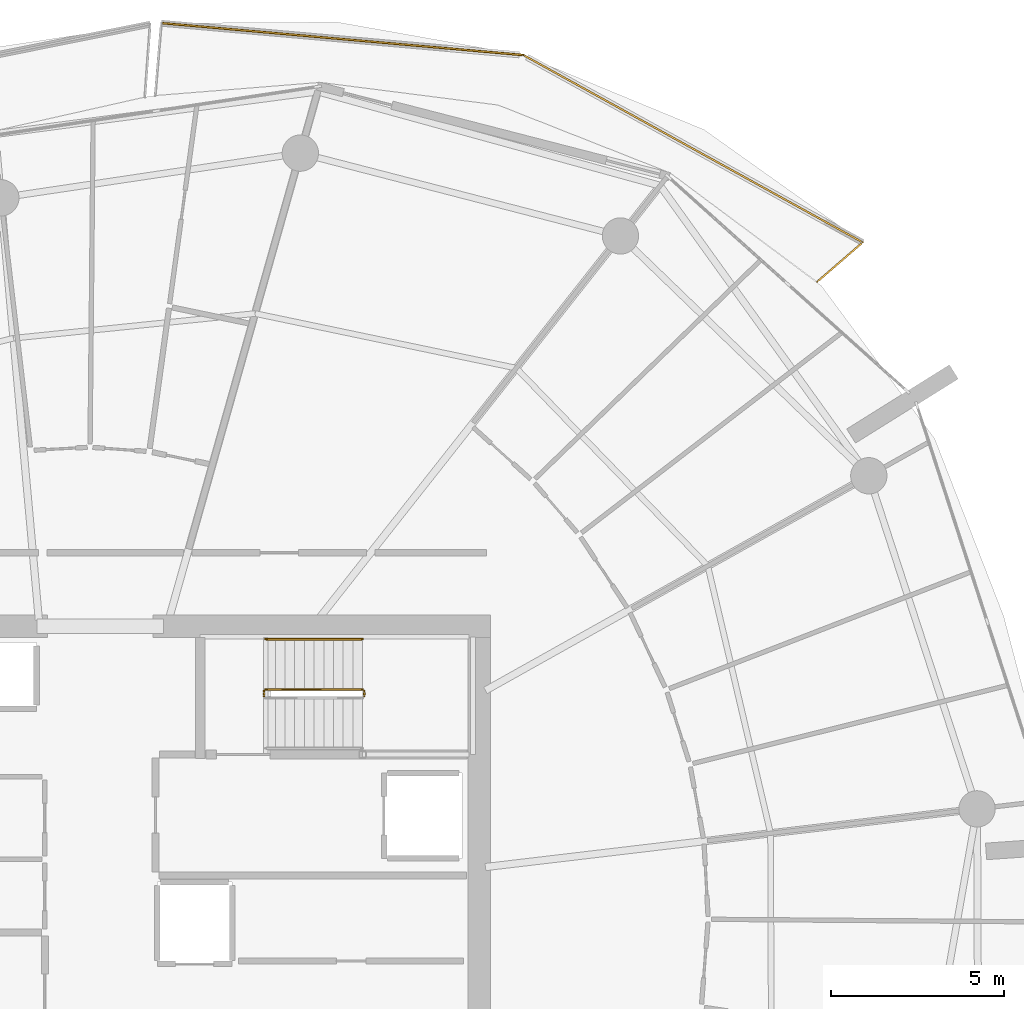
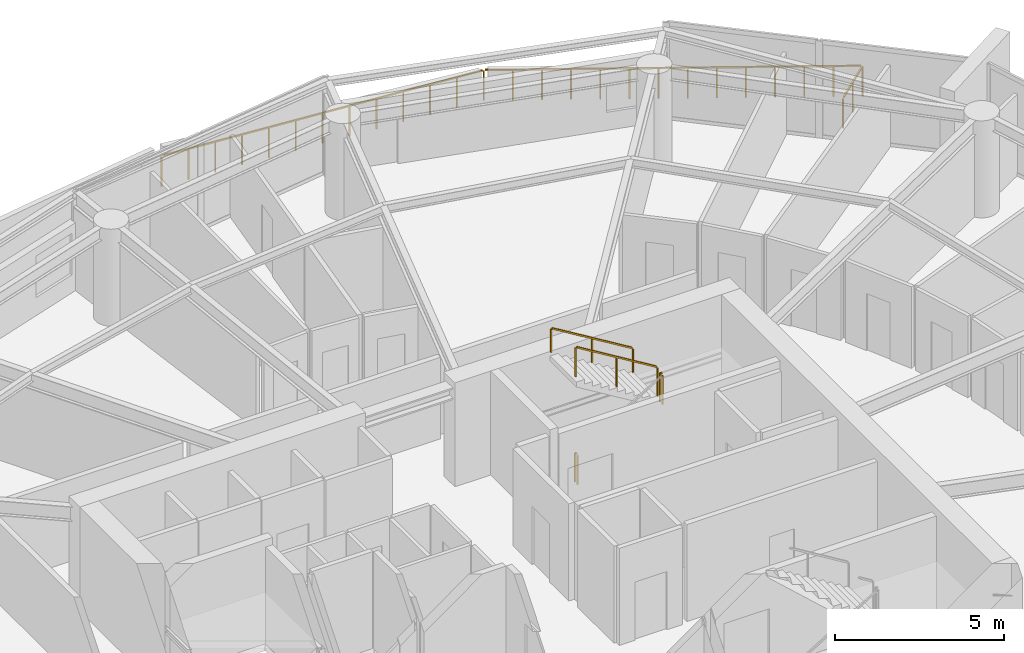
# One storey, part 21 of 21: 7 railings.
"""IFC4 building model written with IfcOpenShell, lengths in metres."""

from ifc_helpers import new_model, si_unit, direction, frame, origin, origin_2d, place, context, subcontext, project, spatial, rectangle, extrude, material, type_object, element, save


model = new_model("IFC4")

# Units and contexts
model_context = context("Model", 3, precision=1e-05, world=origin(), true_north=direction((0.0, 1.0)))
body_context = subcontext(model_context, "Body", "Model", "MODEL_VIEW")
ifc_project = project(units=[si_unit("LENGTHUNIT", "METRE"), si_unit("AREAUNIT", "SQUARE_METRE"), si_unit("VOLUMEUNIT", "CUBIC_METRE"), si_unit("PLANEANGLEUNIT", "RADIAN"), si_unit("MASSUNIT", "GRAM", prefix="KILO")], contexts=[model_context])

# Site, building, storey
site_placement = place(None, origin())
site = spatial("IfcSite", under=ifc_project, at=site_placement, CompositionType="ELEMENT")
building_placement = place(site_placement, origin())
building = spatial("IfcBuilding", under=site, at=building_placement, Name="Kazma Halo Residences", CompositionType="ELEMENT")
storey_placement = place(building_placement, frame((0.0, 0.0, 180.300048828125)))
storey = spatial("IfcBuildingStorey", under=building, at=storey_placement, Name="L45", CompositionType="ELEMENT", Elevation=180.300048828125)

# Railings
ifc_material_1 = material(Name="Aluminium AW-6063 T6 Brushed Cap Rail", Category="aluminium")
railing_type_1 = type_object("IfcRailingType", Name="RLG-BAL-CAP-1120", PredefinedType="BALUSTRADE", material=ifc_material_1)
railing_1_placement = place(storey_placement, frame((69.130126953125, 60.271240234375, 0.0)))
element("IfcRailing", 1, at=railing_1_placement, inside=storey, type_object=railing_type_1, Name="L45 NE wave balcony guard 1", PredefinedType="BALUSTRADE", context=body_context, shape_type="SweptSolid", body=[
    extrude(rectangle(XDim=0.050048828125, YDim=0.050048828125, at=origin_2d()), frame((0.0322265625, 0.02783203125, 1.09521484375), z_axis=(0.756404341656, 0.654104328011, 0.0), x_axis=(-0.654104328011, 0.756404341656, 0.0)), (0.0, 0.0, 1.0), 1.659423828125),
    extrude(rectangle(XDim=0.0400390625, YDim=0.0400390625, at=origin_2d()), origin(), (0.0, 0.0, 1.0), 1.05810546875),
    extrude(rectangle(XDim=0.0400390625, YDim=0.0400390625, at=origin_2d()), frame((0.65966796875, 0.570556640625, 0.0)), (0.0, 0.0, 1.0), 1.05810546875),
    extrude(rectangle(XDim=0.0400390625, YDim=0.0400390625, at=origin_2d()), frame((1.319580078125, 1.14111328125, 0.0)), (0.0, 0.0, 1.0), 1.05810546875),
])
railing_2_placement = place(storey_placement, frame((70.44970703125, 61.412353515625, 0.0)))
element("IfcRailing", 2, at=railing_2_placement, inside=storey, type_object=railing_type_1, Name="L45 NE wave balcony guard 2", PredefinedType="BALUSTRADE", context=body_context, shape_type="SweptSolid", body=[
    extrude(rectangle(XDim=0.050048828125, YDim=0.050048828125, at=origin_2d()), frame((-0.037353515625, 0.0205078125, 1.09521484375), z_axis=(-0.87545838849, 0.483293502979, 0.0), x_axis=(-0.483293502979, -0.87545838849, 0.0)), (0.0, 0.0, 1.0), 11.11083984375),
    extrude(rectangle(XDim=0.0400390625, YDim=0.0400390625, at=origin_2d()), origin(), (0.0, 0.0, 1.0), 1.05810546875),
    extrude(rectangle(XDim=0.0400390625, YDim=0.0400390625, at=origin_2d()), frame((-0.75390625, 0.416259765625, 0.0)), (0.0, 0.0, 1.0), 1.05810546875),
    extrude(rectangle(XDim=0.0400390625, YDim=0.0400390625, at=origin_2d()), frame((-1.5078125, 0.83251953125, 0.0)), (0.0, 0.0, 1.0), 1.05810546875),
    extrude(rectangle(XDim=0.0400390625, YDim=0.0400390625, at=origin_2d()), frame((-2.261962890625, 1.248779296875, 0.0)), (0.0, 0.0, 1.0), 1.05810546875),
    extrude(rectangle(XDim=0.0400390625, YDim=0.0400390625, at=origin_2d()), frame((-3.015869140625, 1.664794921875, 0.0)), (0.0, 0.0, 1.0), 1.05810546875),
    extrude(rectangle(XDim=0.0400390625, YDim=0.0400390625, at=origin_2d()), frame((-3.769775390625, 2.0810546875, 0.0)), (0.0, 0.0, 1.0), 1.05810546875),
    extrude(rectangle(XDim=0.0400390625, YDim=0.0400390625, at=origin_2d()), frame((-4.523681640625, 2.497314453125, 0.0)), (0.0, 0.0, 1.0), 1.05810546875),
    extrude(rectangle(XDim=0.0400390625, YDim=0.0400390625, at=origin_2d()), frame((-5.27783203125, 2.91357421875, 0.0)), (0.0, 0.0, 1.0), 1.05810546875),
    extrude(rectangle(XDim=0.0400390625, YDim=0.0400390625, at=origin_2d()), frame((-6.03173828125, 3.329833984375, 0.0)), (0.0, 0.0, 1.0), 1.05810546875),
    extrude(rectangle(XDim=0.0400390625, YDim=0.0400390625, at=origin_2d()), frame((-6.78564453125, 3.74609375, 0.0)), (0.0, 0.0, 1.0), 1.05810546875),
    extrude(rectangle(XDim=0.0400390625, YDim=0.0400390625, at=origin_2d()), frame((-7.53955078125, 4.162109375, 0.0)), (0.0, 0.0, 1.0), 1.05810546875),
    extrude(rectangle(XDim=0.0400390625, YDim=0.0400390625, at=origin_2d()), frame((-8.293701171875, 4.578369140625, 0.0)), (0.0, 0.0, 1.0), 1.05810546875),
    extrude(rectangle(XDim=0.0400390625, YDim=0.0400390625, at=origin_2d()), frame((-9.047607421875, 4.99462890625, 0.0)), (0.0, 0.0, 1.0), 1.05810546875),
    extrude(rectangle(XDim=0.0400390625, YDim=0.0400390625, at=origin_2d()), frame((-9.801513671875, 5.410888671875, 0.0)), (0.0, 0.0, 1.0), 1.05810546875),
])
railing_3_placement = place(storey_placement, frame((60.648193359375, 66.8232421875, 0.0)))
element("IfcRailing", 3, at=railing_3_placement, inside=storey, type_object=railing_type_1, Name="L45 NE wave balcony guard 3", PredefinedType="BALUSTRADE", context=body_context, shape_type="SweptSolid", body=[
    extrude(rectangle(XDim=0.050048828125, YDim=0.050048828125, at=origin_2d()), frame((-0.04248046875, 0.003662109375, 1.09521484375), z_axis=(-0.996116791463, 0.088041681974, 0.0), x_axis=(-0.088041681974, -0.996116791463, 0.0)), (0.0, 0.0, 1.0), 10.419189453125),
    extrude(rectangle(XDim=0.0400390625, YDim=0.0400390625, at=origin_2d()), origin(), (0.0, 0.0, 1.0), 1.05810546875),
    extrude(rectangle(XDim=0.0400390625, YDim=0.0400390625, at=origin_2d()), frame((-0.8720703125, 0.0771484375, 0.0)), (0.0, 0.0, 1.0), 1.05810546875),
    extrude(rectangle(XDim=0.0400390625, YDim=0.0400390625, at=origin_2d()), frame((-1.743896484375, 0.154052734375, 0.0)), (0.0, 0.0, 1.0), 1.05810546875),
    extrude(rectangle(XDim=0.0400390625, YDim=0.0400390625, at=origin_2d()), frame((-2.61572265625, 0.231201171875, 0.0)), (0.0, 0.0, 1.0), 1.05810546875),
    extrude(rectangle(XDim=0.0400390625, YDim=0.0400390625, at=origin_2d()), frame((-3.48779296875, 0.308349609375, 0.0)), (0.0, 0.0, 1.0), 1.05810546875),
    extrude(rectangle(XDim=0.0400390625, YDim=0.0400390625, at=origin_2d()), frame((-4.35986328125, 0.38525390625, 0.0)), (0.0, 0.0, 1.0), 1.05810546875),
    extrude(rectangle(XDim=0.0400390625, YDim=0.0400390625, at=origin_2d()), frame((-5.231689453125, 0.46240234375, 0.0)), (0.0, 0.0, 1.0), 1.05810546875),
    extrude(rectangle(XDim=0.0400390625, YDim=0.0400390625, at=origin_2d()), frame((-6.103515625, 0.53955078125, 0.0)), (0.0, 0.0, 1.0), 1.05810546875),
    extrude(rectangle(XDim=0.0400390625, YDim=0.0400390625, at=origin_2d()), frame((-6.9755859375, 0.616455078125, 0.0)), (0.0, 0.0, 1.0), 1.05810546875),
    extrude(rectangle(XDim=0.0400390625, YDim=0.0400390625, at=origin_2d()), frame((-7.84765625, 0.693603515625, 0.0)), (0.0, 0.0, 1.0), 1.05810546875),
    extrude(rectangle(XDim=0.0400390625, YDim=0.0400390625, at=origin_2d()), frame((-8.719482421875, 0.770751953125, 0.0)), (0.0, 0.0, 1.0), 1.05810546875),
    extrude(rectangle(XDim=0.0400390625, YDim=0.0400390625, at=origin_2d()), frame((-9.59130859375, 0.84765625, 0.0)), (0.0, 0.0, 1.0), 1.05810546875),
    extrude(rectangle(XDim=0.0400390625, YDim=0.0400390625, at=origin_2d()), frame((-10.46337890625, 0.9248046875, 0.0)), (0.0, 0.0, 1.0), 1.05810546875),
])
ifc_material_2 = material(Name="Painted Steel S355", Category="steel")
railing_type_2 = type_object("IfcRailingType", Name="RLG-STAIR-GRD-1100", PredefinedType="GUARDRAIL", material=ifc_material_2)
railing_4_placement = place(storey_placement, frame((56.050048828125, 48.300048828125, 1.875)))
element("IfcRailing", 4, at=railing_4_placement, inside=storey, type_object=railing_type_2, Name="L45 ST-02 stair guard 2", PredefinedType="GUARDRAIL", context=body_context, shape_type="SweptSolid", body=[
    extrude(rectangle(XDim=0.050048828125, YDim=0.050048828125, at=origin_2d()), frame((0.0, 0.04248046875, 1.0751953125), z_axis=(0.0, 1.0, 0.0), x_axis=(-1.0, 0.0, 0.0)), (0.0, 0.0, 1.0), 0.06494140625),
    extrude(rectangle(XDim=0.0400390625, YDim=0.0400390625, at=origin_2d()), origin(), (0.0, 0.0, 1.0), 1.0380859375),
    extrude(rectangle(XDim=0.0400390625, YDim=0.0400390625, at=origin_2d()), frame((0.0, 0.14990234375, 0.0)), (0.0, 0.0, 1.0), 1.0380859375),
])
railing_5_placement = place(storey_placement, frame((56.0, 48.5, 2.04541015625)))
element("IfcRailing", 5, at=railing_5_placement, inside=storey, type_object=railing_type_2, Name="L45 ST-02 stair guard 3", PredefinedType="GUARDRAIL", context=body_context, shape_type="SweptSolid", body=[
    extrude(rectangle(XDim=0.050048828125, YDim=0.050048828125, at=origin_2d()), frame((-0.036376953125, 0.0, 1.09716796875), z_axis=(-0.854169791009, 0.0, 0.51999420009), x_axis=(0.0, -1.0, 0.0)), (0.0, 0.0, 1.0), 3.193115234375),
    extrude(rectangle(XDim=0.0400390625, YDim=0.0400390625, at=origin_2d()), origin(), (0.0, 0.0, 1.0), 1.0380859375),
    extrude(rectangle(XDim=0.0400390625, YDim=0.0400390625, at=origin_2d()), frame((-1.39990234375, 0.0, 0.852294921875)), (0.0, 0.0, 1.0), 1.0380859375),
    extrude(rectangle(XDim=0.0400390625, YDim=0.0400390625, at=origin_2d()), frame((-2.800048828125, 0.0, 1.70458984375)), (0.0, 0.0, 1.0), 1.0380859375),
])
railing_6_placement = place(storey_placement, frame((53.14990234375, 48.300048828125, 0.0)))
element("IfcRailing", 6, at=railing_6_placement, inside=storey, type_object=railing_type_2, Name="L45 ST-02 stair guard 4", PredefinedType="GUARDRAIL", context=body_context, shape_type="SweptSolid", body=[
    extrude(rectangle(XDim=0.050048828125, YDim=0.050048828125, at=origin_2d()), frame((0.0, 0.04248046875, 1.0751953125), z_axis=(0.0, 1.0, 0.0), x_axis=(-1.0, 0.0, 0.0)), (0.0, 0.0, 1.0), 0.06494140625),
    extrude(rectangle(XDim=0.0400390625, YDim=0.0400390625, at=origin_2d()), origin(), (0.0, 0.0, 1.0), 1.0380859375),
    extrude(rectangle(XDim=0.0400390625, YDim=0.0400390625, at=origin_2d()), frame((0.0, 0.14990234375, 0.0)), (0.0, 0.0, 1.0), 1.0380859375),
])
ifc_material_3 = material(Name="Brushed Stainless Steel", Category="steel")
railing_type_3 = type_object("IfcRailingType", Name="RLG-STAIR-HND-900", PredefinedType="HANDRAIL", material=ifc_material_3)
railing_7_placement = place(storey_placement, frame((56.0, 49.949951171875, 2.04541015625)))
element("IfcRailing", 7, at=railing_7_placement, inside=storey, type_object=railing_type_3, Name="L45 ST-02 stair handrail 2", PredefinedType="HANDRAIL", context=body_context, shape_type="SweptSolid", body=[
    extrude(rectangle(XDim=0.050048828125, YDim=0.050048828125, at=origin_2d()), frame((-0.036376953125, 0.0, 0.89697265625), z_axis=(-0.854169791009, 0.0, 0.51999420009), x_axis=(0.0, -1.0, 0.0)), (0.0, 0.0, 1.0), 3.193115234375),
    extrude(rectangle(XDim=0.0400390625, YDim=0.0400390625, at=origin_2d()), origin(), (0.0, 0.0, 1.0), 0.837890625),
    extrude(rectangle(XDim=0.0400390625, YDim=0.0400390625, at=origin_2d()), frame((-1.39990234375, 0.0, 0.852294921875)), (0.0, 0.0, 1.0), 0.837890625),
    extrude(rectangle(XDim=0.0400390625, YDim=0.0400390625, at=origin_2d()), frame((-2.800048828125, 0.0, 1.70458984375)), (0.0, 0.0, 1.0), 0.837890625),
])

save(model, "model.ifc")
